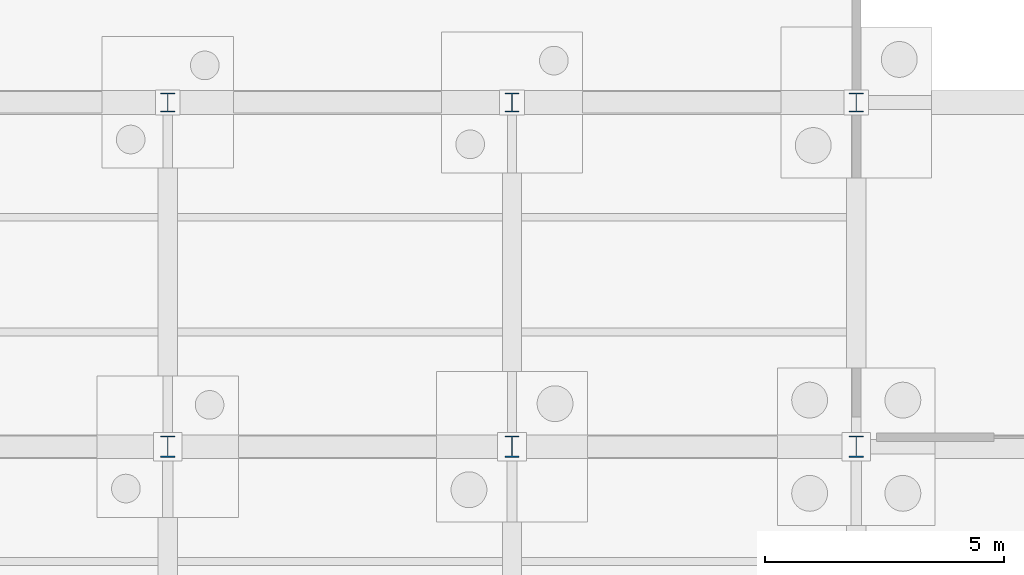
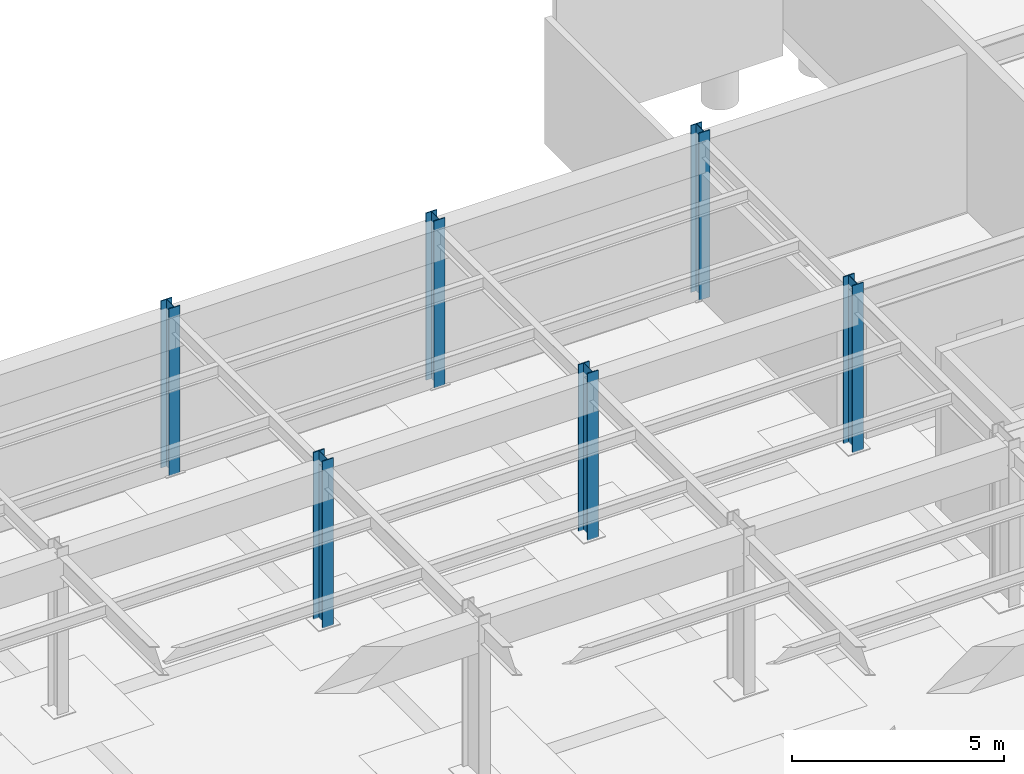
# One storey, part 28 of 64: 6 columns.
"""IFC4 building model written with IfcOpenShell, lengths in metres."""

from ifc_helpers import new_model, si_unit, direction, frame, origin, origin_2d, place, context, subcontext, project, spatial, i_section, extrude, material, material_profile, profile_set, type_object, element, save


model = new_model("IFC4")

# Units and contexts
model_context = context("Model", 3, precision=1e-05, world=origin(), true_north=direction((0.0, 1.0)))
body_context = subcontext(model_context, "Body", "Model", "MODEL_VIEW")
ifc_project = project(units=[si_unit("LENGTHUNIT", "METRE"), si_unit("AREAUNIT", "SQUARE_METRE"), si_unit("VOLUMEUNIT", "CUBIC_METRE"), si_unit("PLANEANGLEUNIT", "RADIAN"), si_unit("MASSUNIT", "GRAM", prefix="KILO")], contexts=[model_context])

# Site, building, storey
site_placement = place(None, origin())
site = spatial("IfcSite", under=ifc_project, at=site_placement, CompositionType="ELEMENT")
building_placement = place(site_placement, origin())
building = spatial("IfcBuilding", under=site, at=building_placement, Name="Solvadek Multi-Sports Hall", CompositionType="ELEMENT")
storey_placement = place(building_placement, frame((0.0, 0.0, -4.800048828125)))
storey = spatial("IfcBuildingStorey", under=building, at=storey_placement, Name="B1", CompositionType="ELEMENT", Elevation=-4.800048828125)

# Columns
ifc_material = material(Name="Steel E350 (350 MPa)", Category="steel")
ifc_material_profile_1 = material_profile(ifc_material, i_section(OverallWidth=0.300048828125, OverallDepth=0.39990234375, WebThickness=0.013427734375, FlangeThickness=0.02392578125, at=origin_2d()), Name="WPB 400")
ifc_profile_set_1 = profile_set([ifc_material_profile_1], Name="Steel E350 (350 MPa)")
column_type_1 = type_object("IfcColumnType", Name="STR-COL-WPB400", PredefinedType="COLUMN", material=ifc_profile_set_1)
for number, where, z_axis, x_axis, name in (
    (1, (108.0, 56.39990234375, 0.0), (0.0, 0.0, 1.0), (1.0, 0.0, 0.0), "B1 Column C-07 #213"),
    (2, (115.199951171875, 56.39990234375, 0.0), (0.0, 0.0, 1.0), (1.0, 0.0, 0.0), "B1 Column C-07 #221"),
    (3, (122.39990234375, 56.39990234375, 0.0), (0.0, 0.0, 1.0), (1.0, 0.0, 0.0), "B1 Column C-07 #229"),
):
    element("IfcColumn", number, at=place(storey_placement, frame(where, z_axis=z_axis, x_axis=x_axis)), inside=storey, type_object=column_type_1, Name=name, PredefinedType="COLUMN", context=body_context, shape_type="SweptSolid", body=[
        extrude(i_section(OverallWidth=0.300048828125, OverallDepth=0.39990234375, WebThickness=0.013427734375, FlangeThickness=0.02392578125, at=origin_2d()), origin(), (0.0, 0.0, 1.0), 4.800048828125),
    ])
ifc_material_profile_2 = material_profile(ifc_material, i_section(OverallWidth=0.300048828125, OverallDepth=0.449951171875, WebThickness=0.013916015625, FlangeThickness=0.02587890625, at=origin_2d()), Name="WPB 450")
ifc_profile_set_2 = profile_set([ifc_material_profile_2], Name="Steel E350 (350 MPa)")
column_type_2 = type_object("IfcColumnType", Name="STR-COL-WPB450", PredefinedType="COLUMN", material=ifc_profile_set_2)
for number, where, z_axis, x_axis, name in (
    (4, (108.0, 49.199951171875, 0.0), (0.0, 0.0, 1.0), (1.0, 0.0, 0.0), "B1 Column C-06 #212"),
    (5, (115.199951171875, 49.199951171875, 0.0), (0.0, 0.0, 1.0), (1.0, 0.0, 0.0), "B1 Column C-06 #220"),
    (6, (122.39990234375, 49.199951171875, 0.0), (0.0, 0.0, 1.0), (1.0, 0.0, 0.0), "B1 Column C-06 #228"),
):
    element("IfcColumn", number, at=place(storey_placement, frame(where, z_axis=z_axis, x_axis=x_axis)), inside=storey, type_object=column_type_2, Name=name, PredefinedType="COLUMN", context=body_context, shape_type="SweptSolid", body=[
        extrude(i_section(OverallWidth=0.300048828125, OverallDepth=0.449951171875, WebThickness=0.013916015625, FlangeThickness=0.02587890625, at=origin_2d()), origin(), (0.0, 0.0, 1.0), 4.800048828125),
    ])

save(model, "model.ifc")
